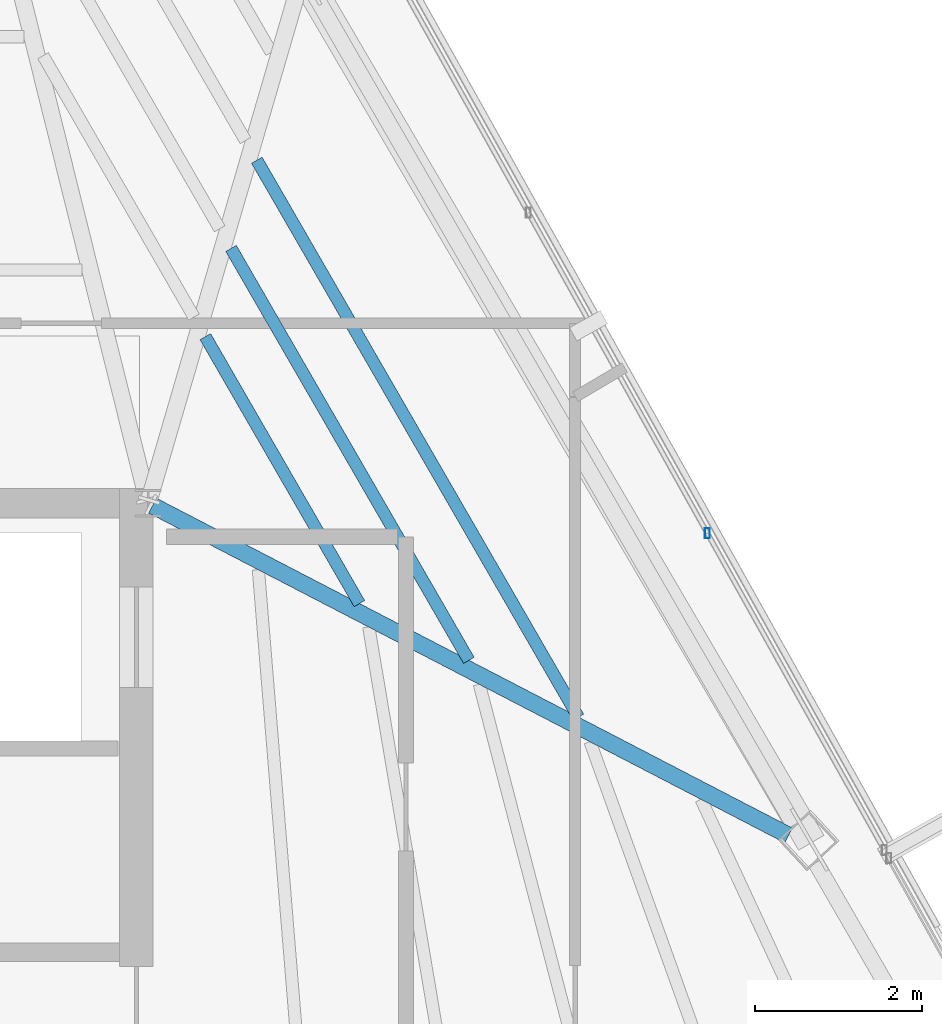
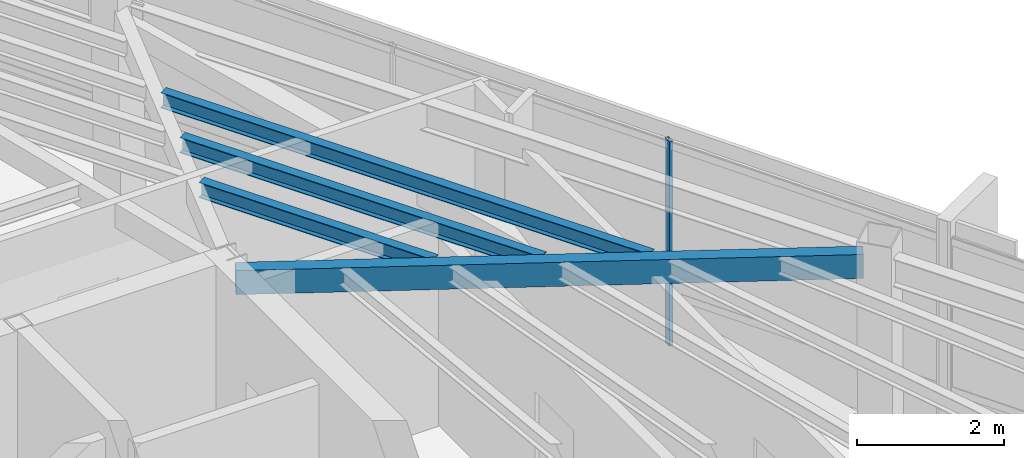
# One storey, part 28 of 45: 4 beams, 1 member, 1 element without a shape of its own.
"""IFC4 building model written with IfcOpenShell, lengths in metres."""

from ifc_helpers import new_model, si_unit, direction, frame, origin, origin_2d, place, context, subcontext, project, spatial, hollow_rectangle, i_section, extrude, source, transform, mapped, material, material_profile, profile_set, type_object, type_shapes, element, aggregate, save


model = new_model("IFC4")

# Units and contexts
model_context = context("Model", 3, precision=1e-05, world=origin(), true_north=direction((0.0, 1.0)))
body_context = subcontext(model_context, "Body", "Model", "MODEL_VIEW")
ifc_project = project(units=[si_unit("LENGTHUNIT", "METRE"), si_unit("AREAUNIT", "SQUARE_METRE"), si_unit("VOLUMEUNIT", "CUBIC_METRE"), si_unit("PLANEANGLEUNIT", "RADIAN"), si_unit("MASSUNIT", "GRAM", prefix="KILO")], contexts=[model_context])

# Site, building, storey
site_placement = place(None, origin())
site = spatial("IfcSite", under=ifc_project, at=site_placement, CompositionType="ELEMENT")
building_placement = place(site_placement, origin())
building = spatial("IfcBuilding", under=site, at=building_placement, Name="Caelisora Broadcast Tower", CompositionType="ELEMENT")
storey_placement = place(building_placement, frame((0.0, 0.0, 273.64990234375)))
storey = spatial("IfcBuildingStorey", under=building, at=storey_placement, Name="L72", CompositionType="ELEMENT", Elevation=273.64990234375)

# Beams
ifc_material_1 = material(Name="Steel Grade 350 (AS/NZS 1163 C350L0)", Category="steel")
ifc_material_profile_1 = material_profile(ifc_material_1, hollow_rectangle(XDim=0.199951171875, YDim=0.39990234375, WallThickness=0.012451171875, at=origin_2d()), Name="Steel Grade 350 (AS/NZS 1163 C350L0)")
ifc_profile_set_1 = profile_set([ifc_material_profile_1], Name="Steel Grade 350 (AS/NZS 1163 C350L0)")
beam_type_1 = type_object("IfcBeamType", Name="PG07", PredefinedType="BEAM", material=ifc_profile_set_1)
shared_shape_1 = source(origin(), body_context, "Body", "SweptSolid", [
    extrude(hollow_rectangle(XDim=0.199951171875, YDim=0.39990234375, WallThickness=0.012451171875, at=origin_2d()), origin(), (0.0, 0.0, 1.0), 8.5556640625),
])
type_shapes(beam_type_1, [shared_shape_1])
beam_1_placement = place(storey_placement, frame((45.55322265625, 29.972412109375, 3.2001953125), z_axis=(0.88771479421, -0.460393792465, 0.0), x_axis=(0.460393792465, 0.88771479421, 0.0)))
element("IfcBeam", 1, at=beam_1_placement, inside=storey, type_object=beam_type_1, Name="L72 beam PG07", PredefinedType="BEAM", context=body_context, shape_type="MappedRepresentation", body=[
    mapped(shared_shape_1, transform((0.0, 0.0, 0.0), scale=1.0)),
])
ifc_material_2 = material(Name="Steel Grade 350 (AS/NZS 3679.1)", Category="steel")
ifc_material_profile_2 = material_profile(ifc_material_2, i_section(OverallWidth=0.14599609375, OverallDepth=0.256103515625, WebThickness=0.00634765625, FlangeThickness=0.010986328125, at=origin_2d()), Name="Steel Grade 350 (AS/NZS 3679.1)")
ifc_profile_set_2 = profile_set([ifc_material_profile_2], Name="Steel Grade 350 (AS/NZS 3679.1)")
beam_type_2 = type_object("IfcBeamType", Name="SB04", PredefinedType="JOIST", material=ifc_profile_set_2)
shared_shape_2 = source(origin(), body_context, "Body", "SweptSolid", [
    extrude(i_section(OverallWidth=0.14599609375, OverallDepth=0.256103515625, WebThickness=0.00634765625, FlangeThickness=0.010986328125, at=origin_2d()), origin(), (0.0, 0.0, 1.0), 3.680908203125),
])
beam_2_placement = place(storey_placement, frame((48.023193359375, 28.80224609375, 3.27197265625), z_axis=(-0.499976994209, 0.866038685777, 0.0), x_axis=(-0.866038685777, -0.499976994209, 0.0)))
element("IfcBeam", 2, at=beam_2_placement, inside=storey, type_object=beam_type_2, Name="L72 beam SB04", PredefinedType="JOIST", context=body_context, shape_type="MappedRepresentation", body=[
    mapped(shared_shape_2, transform((0.0, 0.0, 0.0), scale=1.0)),
])
shared_shape_3 = source(origin(), body_context, "Body", "SweptSolid", [
    extrude(i_section(OverallWidth=0.14599609375, OverallDepth=0.256103515625, WebThickness=0.00634765625, FlangeThickness=0.010986328125, at=origin_2d()), origin(), (0.0, 0.0, 1.0), 5.680419921875),
])
beam_3_placement = place(storey_placement, frame((49.33056640625, 28.124267578125, 3.27197265625), z_axis=(-0.500012638089, 0.866018107057, 0.0), x_axis=(-0.866018107057, -0.500012638089, 0.0)))
element("IfcBeam", 3, at=beam_3_placement, inside=storey, type_object=beam_type_2, Name="L72 beam SB04", PredefinedType="JOIST", context=body_context, shape_type="MappedRepresentation", body=[
    mapped(shared_shape_3, transform((0.0, 0.0, 0.0), scale=1.0)),
])
shared_shape_4 = source(origin(), body_context, "Body", "SweptSolid", [
    extrude(i_section(OverallWidth=0.14599609375, OverallDepth=0.256103515625, WebThickness=0.00634765625, FlangeThickness=0.010986328125, at=origin_2d()), origin(), (0.0, 0.0, 1.0), 7.679931640625),
])
type_shapes(beam_type_2, [shared_shape_2, shared_shape_3, shared_shape_4])
beam_4_placement = place(storey_placement, frame((50.6376953125, 27.4462890625, 3.27197265625), z_axis=(-0.499982037744, 0.86603577405, 0.0), x_axis=(-0.86603577405, -0.499982037744, 0.0)))
element("IfcBeam", 4, at=beam_4_placement, inside=storey, type_object=beam_type_2, Name="L72 beam SB04", PredefinedType="JOIST", context=body_context, shape_type="MappedRepresentation", body=[
    mapped(shared_shape_4, transform((0.0, 0.0, 0.0), scale=1.0)),
])

# Curtain wall, member
ifc_material_3 = material(Name="Unitised Aluminium Insulated Shadow-Box Spandrel Curtain Wall", Category="aluminium")
curtain_wall_type = type_object("IfcCurtainWallType", Name="CW-SP3", PredefinedType="NOTDEFINED", material=ifc_material_3)
curtain_wall_placement = place(storey_placement, origin())
curtain_wall = element("IfcCurtainWall", 5, at=curtain_wall_placement, inside=storey, type_object=curtain_wall_type, Name="L72 curtain wall CW-SP3", PredefinedType="NOTDEFINED")
ifc_material_4 = material(Name="Aluminium 6063-T6 Anodised Terracotta Bronze", Category="aluminium")
ifc_material_profile_3 = material_profile(ifc_material_4, hollow_rectangle(XDim=0.06005859375, YDim=0.1201171875, WallThickness=0.0029296875, at=origin_2d()), Name="Aluminium 6063-T6 Anodised Terracotta Bronze")
ifc_profile_set_3 = profile_set([ifc_material_profile_3], Name="Aluminium 6063-T6 Anodised Terracotta Bronze")
member_type = type_object("IfcMemberType", Name="CWM-04", PredefinedType="MULLION", material=ifc_profile_set_3)
shared_shape_5 = source(origin(), body_context, "Body", "SweptSolid", [
    extrude(hollow_rectangle(XDim=0.06005859375, YDim=0.1201171875, WallThickness=0.0029296875, at=origin_2d()), origin(), (0.0, 0.0, 1.0), 3.400146484375),
])
type_shapes(member_type, [shared_shape_5])
member_placement = place(storey_placement, frame((52.1787109375, 29.641845703125, 0.0), z_axis=(0.0, 0.0, 1.0), x_axis=(1.0, 0.0, 0.0)))
member = element("IfcMember", 6, at=member_placement, type_object=member_type, Name="L72-CW-B02 mullion #2", PredefinedType="MULLION", context=body_context, shape_type="MappedRepresentation", body=[
    mapped(shared_shape_5, transform((0.0, 0.0, 0.0), scale=1.0)),
])
aggregate(curtain_wall, [member])

save(model, "model.ifc")
